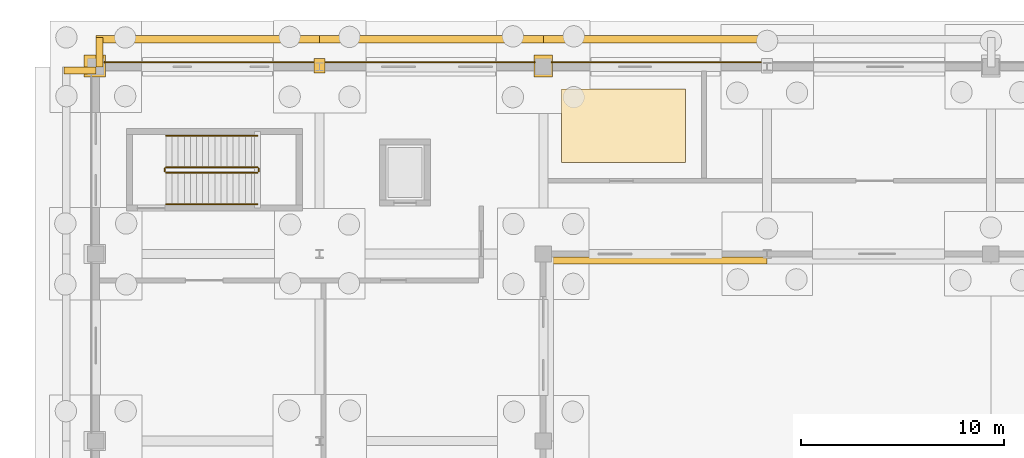
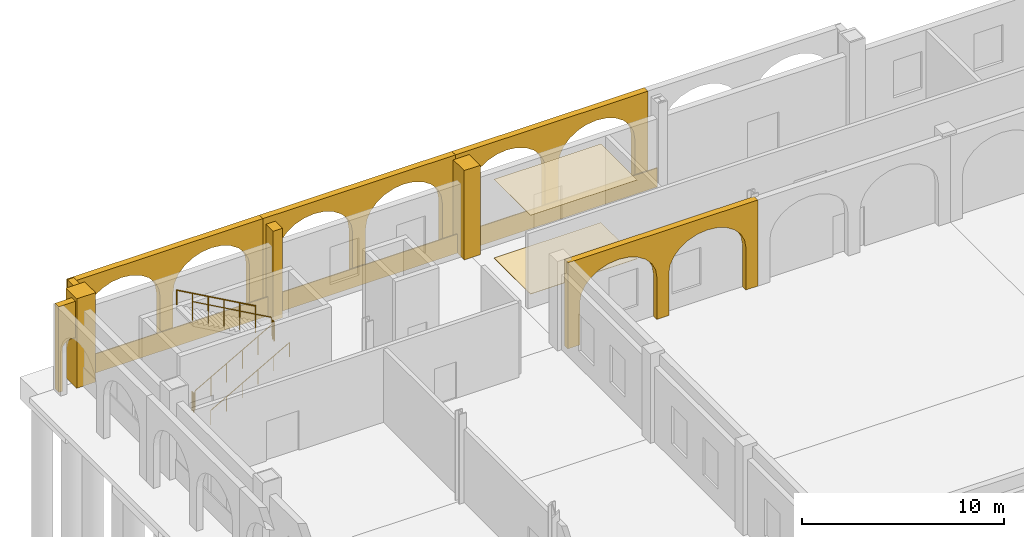
# One storey, part 71 of 83: 14 coverings, 6 railings.
"""IFC4 building model written with IfcOpenShell, lengths in metres."""

from ifc_helpers import new_model, si_unit, direction, frame, frame_2d, origin, origin_2d, place, context, subcontext, project, spatial, polyline, rectangle, circle, outline, extrude, material, layer, layer_set, type_object, element, save


model = new_model("IFC4")

# Units and contexts
model_context = context("Model", 3, precision=1e-05, world=origin(), true_north=direction((0.0, 1.0)))
body_context = subcontext(model_context, "Body", "Model", "MODEL_VIEW")
ifc_project = project(units=[si_unit("LENGTHUNIT", "METRE"), si_unit("AREAUNIT", "SQUARE_METRE"), si_unit("VOLUMEUNIT", "CUBIC_METRE"), si_unit("PLANEANGLEUNIT", "RADIAN"), si_unit("MASSUNIT", "GRAM", prefix="KILO")], contexts=[model_context])

# Site, building, storey
site_placement = place(None, origin())
site = spatial("IfcSite", under=ifc_project, at=site_placement, CompositionType="ELEMENT")
building_placement = place(site_placement, origin())
building = spatial("IfcBuilding", under=site, at=building_placement, Name="Caurita Quay Ferry Terminal", CompositionType="ELEMENT")
storey_placement = place(building_placement, origin())
storey = spatial("IfcBuildingStorey", under=building, at=storey_placement, Name="L00", CompositionType="ELEMENT", Elevation=0.0)

# Coverings
ifc_material_1 = material(Name="Warm-white lime stucco masonry", Category="masonry")
ifc_layer_1 = layer(ifc_material_1, 0.360107421875, Name="Spanish Colonial semicircular lime-stucco portales arcade 360 mm")
ifc_layer_set_1 = layer_set([ifc_layer_1], Name="Warm-white lime stucco masonry")
covering_type_1 = type_object("IfcCoveringType", Name="COV-ARC-CLD", PredefinedType="CLADDING", material=ifc_layer_set_1)
for number, where, z_axis, x_axis, name in (
    (1, (11.0, 118.35009765625, 0.0), (0.0, 0.0, 1.0), (-1.0, 0.0, 0.0), "North Street Portales Colonnade 001"),
    (2, (22.0, 118.35009765625, 0.0), (0.0, 0.0, 1.0), (-1.0, 0.0, 0.0), "North Street Portales Colonnade 002"),
    (3, (33.0, 118.35009765625, 0.0), (0.0, 0.0, 1.0), (-1.0, 0.0, 0.0), "North Street Portales Colonnade 003"),
):
    element("IfcCovering", number, at=place(storey_placement, frame(where, z_axis=z_axis, x_axis=x_axis)), inside=storey, type_object=covering_type_1, Name=name, PredefinedType="CLADDING", context=body_context, shape_type="SweptSolid", body=[
        extrude(outline(polyline([(0.0, 0.0), (0.75, 0.0), (0.75, 2.550048828125), (0.824462890625, 3.041748046875), (1.04296875, 3.5), (1.390625, 3.8935546875), (1.84375, 4.195556640625), (2.371337890625, 4.38525390625), (2.9375, 4.449951171875), (3.503662109375, 4.38525390625), (4.03125, 4.195556640625), (4.484375, 3.8935546875), (4.83203125, 3.5), (5.050537109375, 3.041748046875), (5.125, 2.550048828125), (5.125, 0.0), (5.875, 0.0), (5.875, 2.550048828125), (5.949462890625, 3.041748046875), (6.16796875, 3.5), (6.515625, 3.8935546875), (6.96875, 4.195556640625), (7.496337890625, 4.38525390625), (8.0625, 4.449951171875), (8.628662109375, 4.38525390625), (9.15625, 4.195556640625), (9.609375, 3.8935546875), (9.95703125, 3.5), (10.175537109375, 3.041748046875), (10.25, 2.550048828125), (10.25, 0.0), (11.0, 0.0), (11.0, 5.179931640625), (0.0, 5.179931640625), (0.0, 0.0)])), frame((0.0, 0.18017578125, 0.0), z_axis=(0.0, -1.0, 0.0), x_axis=(1.0, 0.0, 0.0)), (0.0, 0.0, 1.0), 0.360107421875),
    ])
covering_1_placement = place(storey_placement, frame((0.179931640625, 117.0, 0.0), z_axis=(0.0, 0.0, 1.0), x_axis=(0.0, 1.0, 0.0)))
element("IfcCovering", 4, at=covering_1_placement, inside=storey, type_object=covering_type_1, Name="North Portales End Arch 007", PredefinedType="CLADDING", context=body_context, shape_type="SweptSolid", body=[
    extrude(outline(polyline([(0.0, 0.0), (0.219970703125, 0.0), (0.219970703125, 2.550048828125), (0.2373046875, 2.66650390625), (0.28759765625, 2.77490234375), (0.367919921875, 2.8681640625), (0.472412109375, 2.939697265625), (0.59423828125, 2.984619140625), (0.72509765625, 3.0), (0.855712890625, 2.984619140625), (0.9775390625, 2.939697265625), (1.08203125, 2.8681640625), (1.162353515625, 2.77490234375), (1.212646484375, 2.66650390625), (1.22998046875, 2.550048828125), (1.22998046875, 0.0), (1.449951171875, 0.0), (1.449951171875, 5.179931640625), (0.0, 5.179931640625), (0.0, 0.0)])), frame((0.0, 0.18017578125, 0.0), z_axis=(0.0, -1.0, 0.0), x_axis=(1.0, 0.0, 0.0)), (0.0, 0.0, 1.0), 0.360107421875),
])
covering_2_placement = place(storey_placement, frame((-1.550048828125, 116.820068359375, 0.0), z_axis=(0.0, 0.0, 1.0), x_axis=(1.0, 0.0, 0.0)))
element("IfcCovering", 5, at=covering_2_placement, inside=storey, type_object=covering_type_1, Name="West Portales End Arch 017", PredefinedType="CLADDING", context=body_context, shape_type="SweptSolid", body=[
    extrude(outline(polyline([(0.0, 0.0), (0.219970703125, 0.0), (0.219970703125, 2.550048828125), (0.239013671875, 2.66650390625), (0.29443359375, 2.77490234375), (0.382568359375, 2.8681640625), (0.49755859375, 2.939697265625), (0.63134765625, 2.984619140625), (0.77490234375, 3.0), (0.918701171875, 2.984619140625), (1.052490234375, 2.939697265625), (1.16748046875, 2.8681640625), (1.255615234375, 2.77490234375), (1.31103515625, 2.66650390625), (1.330078125, 2.550048828125), (1.330078125, 0.0), (1.550048828125, 0.0), (1.550048828125, 5.179931640625), (0.0, 5.179931640625), (0.0, 0.0)])), frame((0.0, 0.18017578125, 0.0), z_axis=(0.0, -1.0, 0.0), x_axis=(1.0, 0.0, 0.0)), (0.0, 0.0, 1.0), 0.360107421875),
])
covering_3_placement = place(storey_placement, frame((33.0, 107.47998046875, 0.0), z_axis=(0.0, 0.0, 1.0), x_axis=(-1.0, 0.0, 0.0)))
element("IfcCovering", 6, at=covering_3_placement, inside=storey, type_object=covering_type_1, Name="L00 Courtyard North Cloister Arcade 040", PredefinedType="CLADDING", context=body_context, shape_type="SweptSolid", body=[
    extrude(outline(polyline([(0.0, 0.0), (0.679931640625, 0.0), (0.679931640625, 2.550048828125), (0.755126953125, 3.02880859375), (0.97509765625, 3.47509765625), (1.3251953125, 3.858154296875), (1.78125, 4.152099609375), (2.3125, 4.3369140625), (2.882568359375, 4.39990234375), (3.45263671875, 4.3369140625), (3.98388671875, 4.152099609375), (4.43994140625, 3.858154296875), (4.7900390625, 3.47509765625), (5.010009765625, 3.02880859375), (5.0849609375, 2.550048828125), (5.0849609375, 0.0), (5.76513671875, 0.0), (5.76513671875, 2.550048828125), (5.840087890625, 3.02880859375), (6.06005859375, 3.47509765625), (6.41015625, 3.858154296875), (6.8662109375, 4.152099609375), (7.3974609375, 4.3369140625), (7.967529296875, 4.39990234375), (8.53759765625, 4.3369140625), (9.06884765625, 4.152099609375), (9.52490234375, 3.858154296875), (9.875, 3.47509765625), (10.094970703125, 3.02880859375), (10.170166015625, 2.550048828125), (10.170166015625, 0.0), (10.85009765625, 0.0), (10.85009765625, 5.199951171875), (0.0, 5.199951171875), (0.0, 0.0)])), frame((0.0, 0.18017578125, 0.0), z_axis=(0.0, -1.0, 0.0), x_axis=(1.0, 0.0, 0.0)), (0.0, 0.0, 1.0), 0.360107421875),
])
ifc_material_2 = material(Name="Acoustic mineral fibre tile", Category="finish")
ifc_layer_2 = layer(ifc_material_2, 0.02001953125, Name="Acoustic mineral-fibre suspended ceiling 20 mm")
ifc_layer_set_2 = layer_set([ifc_layer_2], Name="Acoustic mineral fibre tile")
covering_type_2 = type_object("IfcCoveringType", Name="COV-CEIL-020", PredefinedType="CEILING", material=ifc_layer_set_2)
covering_4_placement = place(storey_placement, frame((0.0, 0.0, 4.753173828125)))
element("IfcCovering", 7, at=covering_4_placement, inside=storey, type_object=covering_type_2, Name="Fire Command Room Acoustic Ceiling", PredefinedType="CEILING", context=body_context, shape_type="SweptSolid", body=[
    extrude(outline(polyline([(22.89990234375, 112.300048828125), (29.0, 112.300048828125), (29.0, 115.89990234375), (22.89990234375, 115.89990234375), (22.89990234375, 112.300048828125)])), origin(), (0.0, 0.0, 1.0), 0.02001953125),
])
ifc_material_3 = material(Name="Coral stone ashlar cladding", Category="masonry")
ifc_layer_3 = layer(ifc_material_3, 0.054931640625, Name="Rusticated coral-stone basamento plinth cladding 55 mm")
ifc_layer_set_3 = layer_set([ifc_layer_3], Name="Coral stone ashlar cladding")
covering_type_3 = type_object("IfcCoveringType", Name="COV-CORAL-CLD", PredefinedType="CLADDING", material=ifc_layer_set_3)
for number, where, z_axis, x_axis, name in (
    (8, (10.984130859375, 117.215087890625, 0.0), (0.0, 0.0, 1.0), (-1.0, 0.0, 0.0), "Coral-Stone Basamento Cladding 001"),
    (9, (21.60205078125, 117.215087890625, 0.0), (0.0, 0.0, 1.0), (-1.0, 0.0, 0.0), "Coral-Stone Basamento Cladding 002"),
    (10, (32.984130859375, 117.215087890625, 0.0), (0.0, 0.0, 1.0), (-1.0, 0.0, 0.0), "Coral-Stone Basamento Cladding 003"),
):
    element("IfcCovering", number, at=place(storey_placement, frame(where, z_axis=z_axis, x_axis=x_axis)), inside=storey, type_object=covering_type_3, Name=name, PredefinedType="CLADDING", context=body_context, shape_type="SweptSolid", body=[
        extrude(rectangle(XDim=10.586181640625, YDim=0.054931640625, at=frame_2d((5.29296875, 0.0))), origin(), (0.0, 0.0, 1.0), 1.14990234375),
    ])
ifc_material_4 = material(Name="Polished marine terrazzo tile", Category="finish")
ifc_layer_4 = layer(ifc_material_4, 0.02490234375, Name="Polished marine terrazzo floor finish 25 mm")
ifc_layer_set_4 = layer_set([ifc_layer_4], Name="Polished marine terrazzo tile")
covering_type_4 = type_object("IfcCoveringType", Name="COV-FLR-025", PredefinedType="FLOORING", material=ifc_layer_set_4)
covering_5_placement = place(storey_placement, origin())
element("IfcCovering", 11, at=covering_5_placement, inside=storey, type_object=covering_type_4, Name="Fire Command Room Terrazzo Flooring", PredefinedType="FLOORING", context=body_context, shape_type="SweptSolid", body=[
    extrude(outline(polyline([(22.89990234375, 112.300048828125), (29.0, 112.300048828125), (29.0, 115.89990234375), (22.89990234375, 115.89990234375), (22.89990234375, 112.300048828125)])), origin(), (0.0, 0.0, 1.0), 0.02490234375),
])
ifc_layer_5 = layer(ifc_material_1, 0.179931640625, Name="Classical engaged lime-stucco facade pilaster cladding 180 mm")
ifc_layer_set_5 = layer_set([ifc_layer_5], Name="Warm-white lime stucco masonry")
covering_type_5 = type_object("IfcCoveringType", Name="COV-PIL-CLD", PredefinedType="CLADDING", material=ifc_layer_set_5)
covering_6_placement = place(storey_placement, frame((-0.050048828125, 117.050048828125, 0.0), z_axis=(0.0, 0.0, 1.0), x_axis=(1.0, 0.0, 0.0)))
element("IfcCovering", 12, at=covering_6_placement, inside=storey, type_object=covering_type_5, Name="L00 Classical Engaged Pilaster 0291", PredefinedType="CLADDING", context=body_context, shape_type="SweptSolid", body=[
    extrude(rectangle(XDim=1.080078125, YDim=1.080078125, at=origin_2d()), origin(), (0.0, 0.0, 1.0), 5.39990234375),
])
covering_7_placement = place(storey_placement, frame((11.0, 117.050048828125, 0.0), z_axis=(0.0, 0.0, 1.0), x_axis=(1.0, 0.0, 0.0)))
element("IfcCovering", 13, at=covering_7_placement, inside=storey, type_object=covering_type_5, Name="L00 Classical Engaged Pilaster 0301", PredefinedType="CLADDING", context=body_context, shape_type="SweptSolid", body=[
    extrude(rectangle(XDim=0.531005859375, YDim=0.714111328125, at=origin_2d()), origin(), (0.0, 0.0, 1.0), 5.39990234375),
])
covering_8_placement = place(storey_placement, frame((22.0, 117.050048828125, 0.0), z_axis=(0.0, 0.0, 1.0), x_axis=(1.0, 0.0, 0.0)))
element("IfcCovering", 14, at=covering_8_placement, inside=storey, type_object=covering_type_5, Name="L00 Classical Engaged Pilaster 0323", PredefinedType="CLADDING", context=body_context, shape_type="SweptSolid", body=[
    extrude(rectangle(XDim=0.919921875, YDim=1.080078125, at=origin_2d()), origin(), (0.0, 0.0, 1.0), 5.39990234375),
])

# Railings
ifc_material_5 = material(Name="Bronze architectural metalwork", Category="metal")
railing_type_1 = type_object("IfcRailingType", Name="RL-HND-090", PredefinedType="HANDRAIL", material=ifc_material_5)
railing_1_placement = place(storey_placement, frame((3.449951171875, 110.25, 0.168701171875)))
element("IfcRailing", 15, at=railing_1_placement, inside=storey, type_object=railing_type_1, Name="L00 ST-01 stair handrail 1", PredefinedType="HANDRAIL", context=body_context, shape_type="SweptSolid", body=[
    extrude(circle(Radius=0.02392578125, at=origin_2d()), frame((0.0, 0.0, 0.8759765625), z_axis=(0.871575537125, 0.0, 0.490261239633), x_axis=(0.0, 1.0, 0.0)), (0.0, 0.0, 1.0), 5.1630859375),
    extrude(circle(Radius=0.02099609375, at=origin_2d()), origin(), (0.0, 0.0, 1.0), 0.851806640625),
    extrude(circle(Radius=0.02099609375, at=origin_2d()), frame((0.89990234375, 0.0, 0.50634765625)), (0.0, 0.0, 1.0), 0.851806640625),
    extrude(circle(Radius=0.02099609375, at=origin_2d()), frame((1.800048828125, 0.0, 1.012451171875)), (0.0, 0.0, 1.0), 0.851806640625),
    extrude(circle(Radius=0.02099609375, at=origin_2d()), frame((2.699951171875, 0.0, 1.518798828125)), (0.0, 0.0, 1.0), 0.851806640625),
    extrude(circle(Radius=0.02099609375, at=origin_2d()), frame((3.60009765625, 0.0, 2.02490234375)), (0.0, 0.0, 1.0), 0.851806640625),
    extrude(circle(Radius=0.02099609375, at=origin_2d()), frame((4.5, 0.0, 2.53125)), (0.0, 0.0, 1.0), 0.851806640625),
])
railing_2_placement = place(storey_placement, frame((7.949951171875, 113.610107421875, 2.86865234375)))
element("IfcRailing", 16, at=railing_2_placement, inside=storey, type_object=railing_type_1, Name="L00 ST-01 stair handrail 2", PredefinedType="HANDRAIL", context=body_context, shape_type="SweptSolid", body=[
    extrude(circle(Radius=0.02392578125, at=origin_2d()), frame((0.0, 0.0, 0.8759765625), z_axis=(-0.871575537125, 0.0, 0.490261239633), x_axis=(0.0, -1.0, 0.0)), (0.0, 0.0, 1.0), 5.1630859375),
    extrude(circle(Radius=0.02099609375, at=origin_2d()), origin(), (0.0, 0.0, 1.0), 0.851806640625),
    extrude(circle(Radius=0.02099609375, at=origin_2d()), frame((-0.89990234375, 0.0, 0.50634765625)), (0.0, 0.0, 1.0), 0.851806640625),
    extrude(circle(Radius=0.02099609375, at=origin_2d()), frame((-1.800048828125, 0.0, 1.012451171875)), (0.0, 0.0, 1.0), 0.851806640625),
    extrude(circle(Radius=0.02099609375, at=origin_2d()), frame((-2.699951171875, 0.0, 1.518798828125)), (0.0, 0.0, 1.0), 0.851806640625),
    extrude(circle(Radius=0.02099609375, at=origin_2d()), frame((-3.60009765625, 0.0, 2.02490234375)), (0.0, 0.0, 1.0), 0.851806640625),
    extrude(circle(Radius=0.02099609375, at=origin_2d()), frame((-4.5, 0.0, 2.53125)), (0.0, 0.0, 1.0), 0.851806640625),
])
railing_type_2 = type_object("IfcRailingType", Name="RL-REJA-115", PredefinedType="BALUSTRADE", material=ifc_material_5)
railing_3_placement = place(storey_placement, frame((3.449951171875, 111.800048828125, 0.168701171875)))
element("IfcRailing", 17, at=railing_3_placement, inside=storey, type_object=railing_type_2, Name="L00 ST-01 stair guard 1", PredefinedType="BALUSTRADE", context=body_context, shape_type="SweptSolid", body=[
    extrude(circle(Radius=0.02392578125, at=origin_2d()), frame((0.0, 0.0, 1.1259765625), z_axis=(0.871575537125, 0.0, 0.490261239633), x_axis=(0.0, 1.0, 0.0)), (0.0, 0.0, 1.0), 5.1630859375),
    extrude(circle(Radius=0.02099609375, at=origin_2d()), origin(), (0.0, 0.0, 1.0), 1.101806640625),
    extrude(circle(Radius=0.02099609375, at=origin_2d()), frame((0.89990234375, 0.0, 0.50634765625)), (0.0, 0.0, 1.0), 1.101806640625),
    extrude(circle(Radius=0.02099609375, at=origin_2d()), frame((1.800048828125, 0.0, 1.012451171875)), (0.0, 0.0, 1.0), 1.101806640625),
    extrude(circle(Radius=0.02099609375, at=origin_2d()), frame((2.699951171875, 0.0, 1.518798828125)), (0.0, 0.0, 1.0), 1.101806640625),
    extrude(circle(Radius=0.02099609375, at=origin_2d()), frame((3.60009765625, 0.0, 2.02490234375)), (0.0, 0.0, 1.0), 1.101806640625),
    extrude(circle(Radius=0.02099609375, at=origin_2d()), frame((4.5, 0.0, 2.53125)), (0.0, 0.0, 1.0), 1.101806640625),
])
railing_4_placement = place(storey_placement, frame((8.0, 111.85009765625, 2.699951171875)))
element("IfcRailing", 18, at=railing_4_placement, inside=storey, type_object=railing_type_2, Name="L00 ST-01 stair guard 2", PredefinedType="BALUSTRADE", context=body_context, shape_type="SweptSolid", body=[
    extrude(circle(Radius=0.02392578125, at=origin_2d()), frame((0.0, 0.0, 1.1259765625), z_axis=(0.0, 1.0, 0.0), x_axis=(-1.0, 0.0, 0.0)), (0.0, 0.0, 1.0), 0.159912109375),
    extrude(circle(Radius=0.02099609375, at=origin_2d()), origin(), (0.0, 0.0, 1.0), 1.101806640625),
    extrude(circle(Radius=0.02099609375, at=origin_2d()), frame((0.0, 0.159912109375, 0.0)), (0.0, 0.0, 1.0), 1.101806640625),
])
railing_5_placement = place(storey_placement, frame((7.949951171875, 112.06005859375, 2.86865234375)))
element("IfcRailing", 19, at=railing_5_placement, inside=storey, type_object=railing_type_2, Name="L00 ST-01 stair guard 3", PredefinedType="BALUSTRADE", context=body_context, shape_type="SweptSolid", body=[
    extrude(circle(Radius=0.02392578125, at=origin_2d()), frame((0.0, 0.0, 1.1259765625), z_axis=(-0.871575537125, 0.0, 0.490261239633), x_axis=(0.0, -1.0, 0.0)), (0.0, 0.0, 1.0), 5.1630859375),
    extrude(circle(Radius=0.02099609375, at=origin_2d()), origin(), (0.0, 0.0, 1.0), 1.101806640625),
    extrude(circle(Radius=0.02099609375, at=origin_2d()), frame((-0.89990234375, 0.0, 0.50634765625)), (0.0, 0.0, 1.0), 1.101806640625),
    extrude(circle(Radius=0.02099609375, at=origin_2d()), frame((-1.800048828125, 0.0, 1.012451171875)), (0.0, 0.0, 1.0), 1.101806640625),
    extrude(circle(Radius=0.02099609375, at=origin_2d()), frame((-2.699951171875, 0.0, 1.518798828125)), (0.0, 0.0, 1.0), 1.101806640625),
    extrude(circle(Radius=0.02099609375, at=origin_2d()), frame((-3.60009765625, 0.0, 2.02490234375)), (0.0, 0.0, 1.0), 1.101806640625),
    extrude(circle(Radius=0.02099609375, at=origin_2d()), frame((-4.5, 0.0, 2.53125)), (0.0, 0.0, 1.0), 1.101806640625),
])
railing_6_placement = place(storey_placement, frame((3.39990234375, 111.85009765625, 0.0)))
element("IfcRailing", 20, at=railing_6_placement, inside=storey, type_object=railing_type_2, Name="L00 ST-01 stair guard 4", PredefinedType="BALUSTRADE", context=body_context, shape_type="SweptSolid", body=[
    extrude(circle(Radius=0.02392578125, at=origin_2d()), frame((0.0, 0.0, 1.1259765625), z_axis=(0.0, 1.0, 0.0), x_axis=(-1.0, 0.0, 0.0)), (0.0, 0.0, 1.0), 0.159912109375),
    extrude(circle(Radius=0.02099609375, at=origin_2d()), origin(), (0.0, 0.0, 1.0), 1.101806640625),
    extrude(circle(Radius=0.02099609375, at=origin_2d()), frame((0.0, 0.159912109375, 0.0)), (0.0, 0.0, 1.0), 1.101806640625),
])

save(model, "model.ifc")
